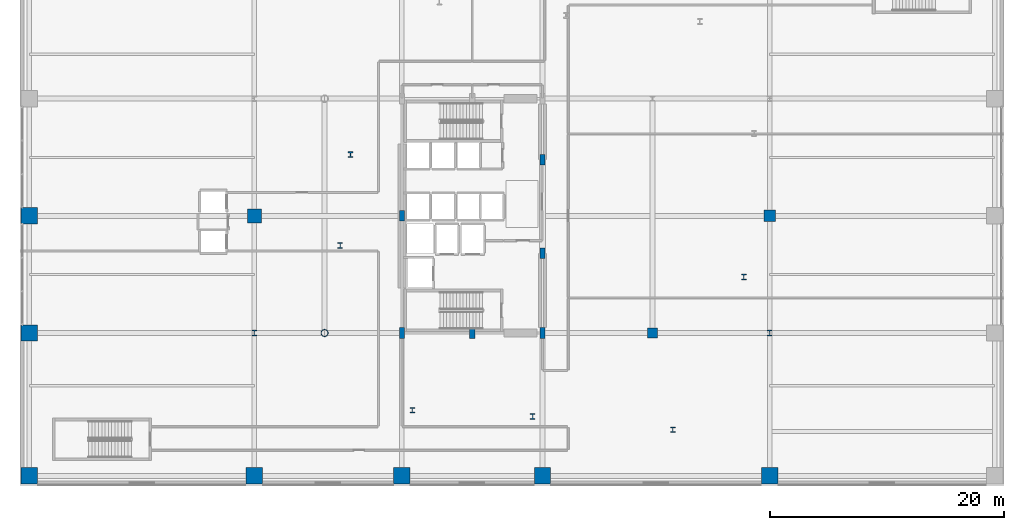
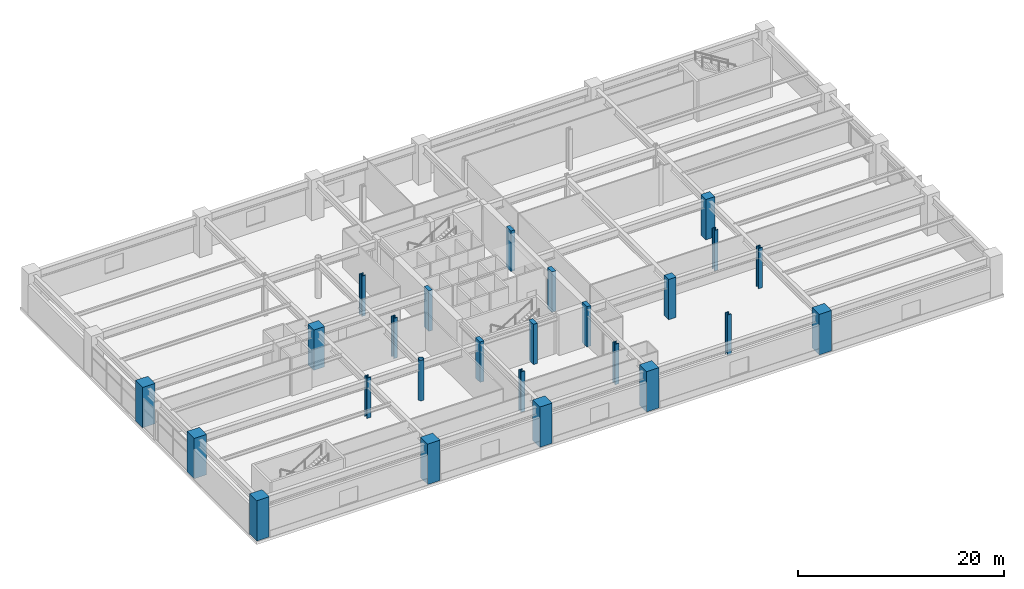
# One storey, part 1 of 28: 25 columns.
"""IFC4 building model written with IfcOpenShell, lengths in metres."""

from ifc_helpers import new_model, si_unit, direction, frame, origin, origin_2d, place, context, subcontext, project, spatial, rectangle, hollow_circle, i_section, extrude, material, material_profile, profile_set, type_object, element, save


model = new_model("IFC4")

# Units and contexts
model_context = context("Model", 3, precision=1e-05, world=origin(), true_north=direction((0.0, 1.0)))
body_context = subcontext(model_context, "Body", "Model", "MODEL_VIEW")
ifc_project = project(units=[si_unit("LENGTHUNIT", "METRE"), si_unit("AREAUNIT", "SQUARE_METRE"), si_unit("VOLUMEUNIT", "CUBIC_METRE"), si_unit("PLANEANGLEUNIT", "RADIAN"), si_unit("MASSUNIT", "GRAM", prefix="KILO")], contexts=[model_context])

# Site, building, storey
site_placement = place(None, origin())
site = spatial("IfcSite", under=ifc_project, at=site_placement, CompositionType="ELEMENT")
building_placement = place(site_placement, origin())
building = spatial("IfcBuilding", under=site, at=building_placement, Name="Soratama Intermodal Tower", CompositionType="ELEMENT")
storey_placement = place(building_placement, frame((0.0, 0.0, 11.39990234375)))
storey = spatial("IfcBuildingStorey", under=building, at=storey_placement, Name="L02", CompositionType="ELEMENT", Elevation=11.39990234375)

# Columns
ifc_material_1 = material(Name="Concrete f'c 56 MPa", Category="concrete")
ifc_material_profile_1 = material_profile(ifc_material_1, rectangle(XDim=1.39990234375, YDim=1.39990234375, at=origin_2d()), Name="RC1400X1400")
ifc_profile_set_1 = profile_set([ifc_material_profile_1], Name="Concrete f'c 56 MPa")
column_type_1 = type_object("IfcColumnType", Name="COL-POD-EXT-RC1400", PredefinedType="COLUMN", material=ifc_profile_set_1)
for number, where, z_axis, x_axis, name in (
    (1, (0.800048828125, 2.800048828125, 0.0), (0.0, 0.0, 1.0), (1.0, 0.0, 0.0), "L02 Station Column P01"),
    (2, (20.0, 2.800048828125, 0.0), (0.0, 0.0, 1.0), (1.0, 0.0, 0.0), "L02 Station Column P02"),
    (3, (64.0, 2.800048828125, 0.0), (0.0, 0.0, 1.0), (1.0, 0.0, 0.0), "L02 Station Column P03"),
    (4, (0.800048828125, 15.0, 0.0), (0.0, 0.0, 1.0), (1.0, 0.0, 0.0), "L02 Station Column P05"),
    (5, (0.800048828125, 25.0, 0.0), (0.0, 0.0, 1.0), (1.0, 0.0, 0.0), "L02 Station Column P17"),
    (6, (32.60009765625, 2.800048828125, 0.0), (0.0, 0.0, 1.0), (1.0, 0.0, 0.0), "L02 Station Column P21"),
    (7, (44.60009765625, 2.800048828125, 0.0), (0.0, 0.0, 1.0), (1.0, 0.0, 0.0), "L02 Station Column P22"),
):
    element("IfcColumn", number, at=place(storey_placement, frame(where, z_axis=z_axis, x_axis=x_axis)), inside=storey, type_object=column_type_1, Name=name, PredefinedType="COLUMN", context=body_context, shape_type="SweptSolid", body=[
        extrude(rectangle(XDim=1.39990234375, YDim=1.39990234375, at=origin_2d()), origin(), (0.0, 0.0, 1.0), 4.800048828125),
    ])
ifc_material_2 = material(Name="Concrete f'c 56 MPa", Category="concrete")
ifc_material_profile_2 = material_profile(ifc_material_2, rectangle(XDim=1.0, YDim=1.0, at=origin_2d()), Name="RC1000X1000")
ifc_profile_set_2 = profile_set([ifc_material_profile_2], Name="Concrete f'c 56 MPa")
column_type_2 = type_object("IfcColumnType", Name="COL-POD-RC1000", PredefinedType="COLUMN", material=ifc_profile_set_2)
column_1_placement = place(storey_placement, frame((64.0, 25.0, 0.0), z_axis=(0.0, 0.0, 1.0), x_axis=(1.0, 0.0, 0.0)))
element("IfcColumn", 8, at=column_1_placement, inside=storey, type_object=column_type_2, Name="L02 Station Column P19", PredefinedType="COLUMN", context=body_context, shape_type="SweptSolid", body=[
    extrude(rectangle(XDim=1.0, YDim=1.0, at=origin_2d()), origin(), (0.0, 0.0, 1.0), 4.800048828125),
])
ifc_material_3 = material(Name="Concrete f'c 56 MPa", Category="concrete")
ifc_material_profile_3 = material_profile(ifc_material_3, rectangle(XDim=1.199951171875, YDim=1.199951171875, at=origin_2d()), Name="RC1200X1200")
ifc_profile_set_3 = profile_set([ifc_material_profile_3], Name="Concrete f'c 56 MPa")
column_type_3 = type_object("IfcColumnType", Name="COL-POD-RC1200", PredefinedType="COLUMN", material=ifc_profile_set_3)
column_2_placement = place(storey_placement, frame((20.0, 25.0, 0.0), z_axis=(0.0, 0.0, 1.0), x_axis=(1.0, 0.0, 0.0)))
element("IfcColumn", 9, at=column_2_placement, inside=storey, type_object=column_type_3, Name="L02 Station Column P18", PredefinedType="COLUMN", context=body_context, shape_type="SweptSolid", body=[
    extrude(rectangle(XDim=1.199951171875, YDim=1.199951171875, at=origin_2d()), origin(), (0.0, 0.0, 1.0), 4.800048828125),
])
ifc_material_4 = material(Name="Concrete f'c 56 MPa", Category="concrete")
ifc_material_profile_4 = material_profile(ifc_material_4, rectangle(XDim=0.85009765625, YDim=0.85009765625, at=origin_2d()), Name="RC850X850")
ifc_profile_set_4 = profile_set([ifc_material_profile_4], Name="Concrete f'c 56 MPa")
column_type_4 = type_object("IfcColumnType", Name="COL-POD-RC850", PredefinedType="COLUMN", material=ifc_profile_set_4)
column_3_placement = place(storey_placement, frame((54.0, 15.0, 0.0), z_axis=(0.0, 0.0, 1.0), x_axis=(1.0, 0.0, 0.0)))
element("IfcColumn", 10, at=column_3_placement, inside=storey, type_object=column_type_4, Name="L02 Station Column P25", PredefinedType="COLUMN", context=body_context, shape_type="SweptSolid", body=[
    extrude(rectangle(XDim=0.85009765625, YDim=0.85009765625, at=origin_2d()), origin(), (0.0, 0.0, 1.0), 4.800048828125),
])
ifc_material_5 = material(Name="Structural steel ASTM A992 Grade 50", Category="steel")
ifc_material_profile_5 = material_profile(ifc_material_5, i_section(OverallWidth=0.431884765625, OverallDepth=0.498046875, WebThickness=0.0556640625, FlangeThickness=0.0888671875, FilletRadius=0.0380859375, at=origin_2d()), Name="W14X500")
ifc_profile_set_5 = profile_set([ifc_material_profile_5], Name="Structural steel ASTM A992 Grade 50")
column_type_5 = type_object("IfcColumnType", Name="COL-POD-W14X500", PredefinedType="COLUMN", material=ifc_profile_set_5)
for number, where, z_axis, x_axis, name in (
    (11, (20.0, 15.0, 0.0), (0.0, 0.0, 1.0), (1.0, 0.0, 0.0), "L02 Station Column P06"),
    (12, (64.0, 15.0, 0.0), (0.0, 0.0, 1.0), (1.0, 0.0, 0.0), "L02 Station Column P07"),
    (13, (28.208984375, 30.22705078125, 0.0), (0.0, 0.0, 1.0), (1.0, 0.0, 0.0), "L02 Station Column P33"),
    (14, (27.3310546875, 22.47509765625, 0.0), (0.0, 0.0, 1.0), (1.0, 0.0, 0.0), "L02 Station Column P34"),
    (15, (33.498046875, 8.405029296875, 0.0), (0.0, 0.0, 1.0), (1.0, 0.0, 0.0), "L02 Station Column P35"),
    (16, (43.759033203125, 7.883056640625, 0.0), (0.0, 0.0, 1.0), (1.0, 0.0, 0.0), "L02 Station Column P36"),
    (17, (55.73388671875, 6.735107421875, 0.0), (0.0, 0.0, 1.0), (1.0, 0.0, 0.0), "L02 Station Column P37"),
    (18, (61.791015625, 19.77294921875, 0.0), (0.0, 0.0, 1.0), (1.0, 0.0, 0.0), "L02 Station Column P38"),
):
    element("IfcColumn", number, at=place(storey_placement, frame(where, z_axis=z_axis, x_axis=x_axis)), inside=storey, type_object=column_type_5, Name=name, PredefinedType="COLUMN", context=body_context, shape_type="SweptSolid", body=[
        extrude(i_section(OverallWidth=0.431884765625, OverallDepth=0.498046875, WebThickness=0.0556640625, FlangeThickness=0.0888671875, FilletRadius=0.0380859375, at=origin_2d()), origin(), (0.0, 0.0, 1.0), 4.800048828125),
    ])
ifc_material_6 = material(Name="Structural steel ASTM A500 Grade C", Category="steel")
ifc_material_profile_6 = material_profile(ifc_material_6, hollow_circle(Radius=0.304931640625, WallThickness=0.02197265625, at=origin_2d()), Name="CHS610X22")
ifc_profile_set_6 = profile_set([ifc_material_profile_6], Name="Structural steel ASTM A500 Grade C")
column_type_6 = type_object("IfcColumnType", Name="COL-POOL-CHS610", PredefinedType="COLUMN", material=ifc_profile_set_6)
column_4_placement = place(storey_placement, frame((26.0, 15.0, 0.0), z_axis=(0.0, 0.0, 1.0), x_axis=(1.0, 0.0, 0.0)))
element("IfcColumn", 19, at=column_4_placement, inside=storey, type_object=column_type_6, Name="L02 Station Column P27", PredefinedType="COLUMN", context=body_context, shape_type="SweptSolid", body=[
    extrude(hollow_circle(Radius=0.304931640625, WallThickness=0.02197265625, at=origin_2d()), origin(), (0.0, 0.0, 1.0), 4.800048828125),
])
ifc_material_7 = material(Name="Concrete f'c 56 MPa", Category="concrete")
ifc_material_profile_7 = material_profile(ifc_material_7, rectangle(XDim=0.449951171875, YDim=0.89990234375, at=origin_2d()), Name="RC450X900")
ifc_profile_set_7 = profile_set([ifc_material_profile_7], Name="Concrete f'c 56 MPa")
column_type_7 = type_object("IfcColumnType", Name="PIL-CORE-450X900", PredefinedType="PILASTER", material=ifc_profile_set_7)
for number, where, z_axis, x_axis, name in (
    (20, (32.60009765625, 15.0, 0.0), (0.0, 0.0, 1.0), (1.0, 0.0, 0.0), "L02 Core Pilaster 1"),
    (21, (32.60009765625, 25.0, 0.0), (0.0, 0.0, 1.0), (1.0, 0.0, 0.0), "L02 Core Pilaster 2"),
    (22, (38.60009765625, 15.0, 0.0), (0.0, 0.0, 1.0), (1.0, 0.0, 0.0), "L02 Core Pilaster 4"),
    (23, (44.60009765625, 15.0, 0.0), (0.0, 0.0, 1.0), (1.0, 0.0, 0.0), "L02 Core Pilaster 6"),
    (24, (44.60009765625, 21.800048828125, 0.0), (0.0, 0.0, 1.0), (1.0, 0.0, 0.0), "L02 Core Pilaster 7"),
    (25, (44.60009765625, 29.800048828125, 0.0), (0.0, 0.0, 1.0), (1.0, 0.0, 0.0), "L02 Core Pilaster 8"),
):
    element("IfcColumn", number, at=place(storey_placement, frame(where, z_axis=z_axis, x_axis=x_axis)), inside=storey, type_object=column_type_7, Name=name, PredefinedType="PILASTER", context=body_context, shape_type="SweptSolid", body=[
        extrude(rectangle(XDim=0.449951171875, YDim=0.89990234375, at=origin_2d()), origin(), (0.0, 0.0, 1.0), 4.800048828125),
    ])

save(model, "model.ifc")
